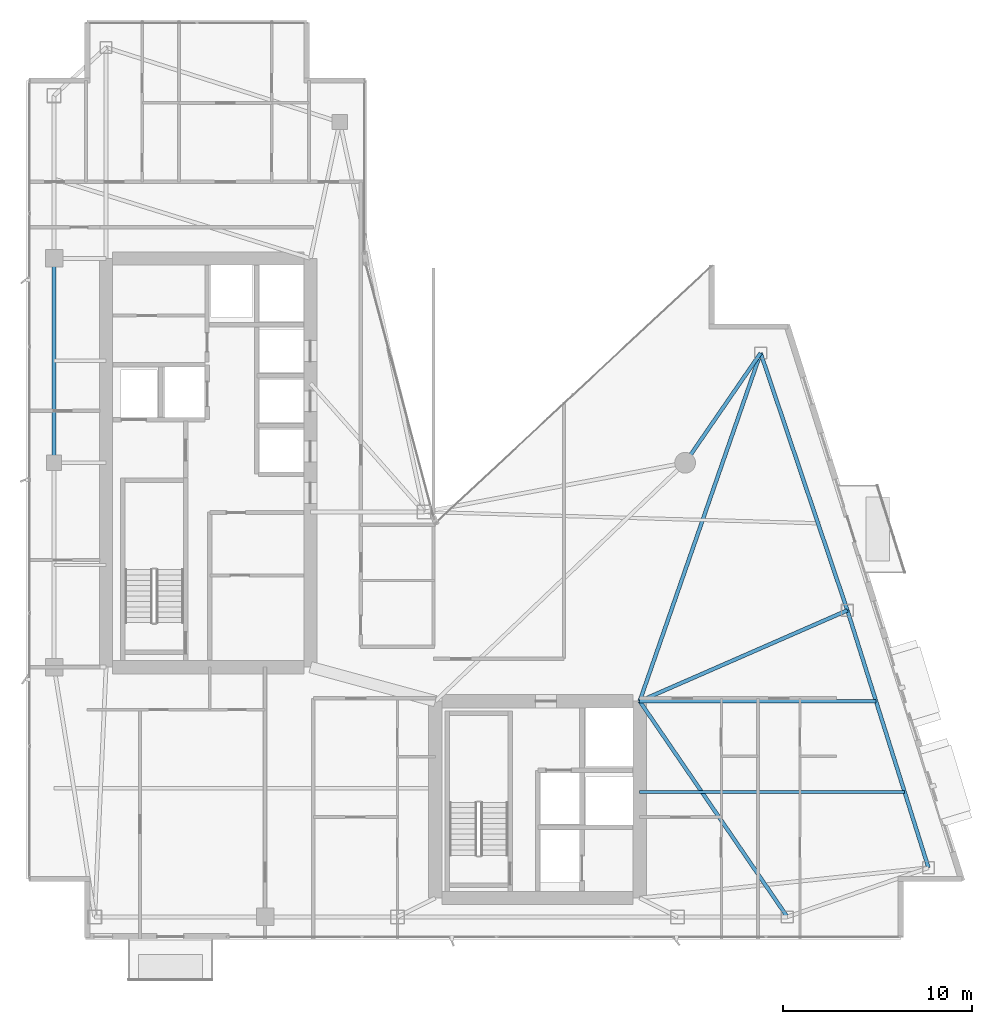
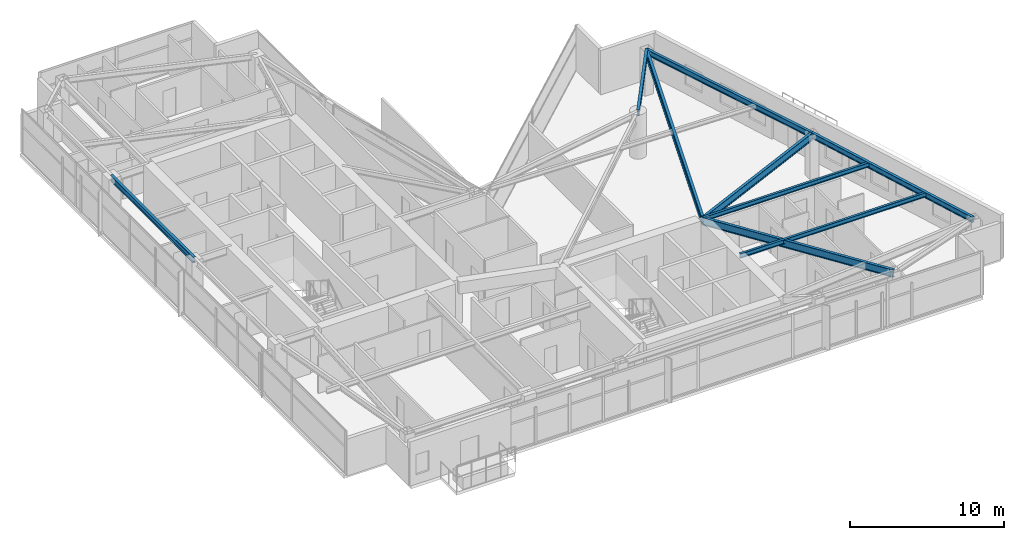
# One storey, part 14 of 27: 9 beams.
"""IFC4 building model written with IfcOpenShell, lengths in metres."""

from ifc_helpers import new_model, si_unit, direction, frame, origin, origin_2d, place, context, subcontext, project, spatial, i_section, extrude, material, material_profile, profile_set, type_object, element, save


model = new_model("IFC4")

# Units and contexts
model_context = context("Model", 3, precision=1e-05, world=origin(), true_north=direction((0.0, 1.0)))
body_context = subcontext(model_context, "Body", "Model", "MODEL_VIEW")
ifc_project = project(units=[si_unit("LENGTHUNIT", "METRE"), si_unit("AREAUNIT", "SQUARE_METRE"), si_unit("VOLUMEUNIT", "CUBIC_METRE"), si_unit("PLANEANGLEUNIT", "RADIAN"), si_unit("MASSUNIT", "GRAM", prefix="KILO")], contexts=[model_context])

# Site, building, storey
site_placement = place(None, origin())
site = spatial("IfcSite", under=ifc_project, at=site_placement, CompositionType="ELEMENT")
building_placement = place(site_placement, origin())
building = spatial("IfcBuilding", under=site, at=building_placement, Name="Calvorn Quay Hotel", CompositionType="ELEMENT")
storey_placement = place(building_placement, frame((0.0, 0.0, 230.699951171875)))
storey = spatial("IfcBuildingStorey", under=building, at=storey_placement, Name="L57", CompositionType="ELEMENT", Elevation=230.699951171875)

# Beams
ifc_material_1 = material(Name="Steel Q355B", Category="steel")
ifc_material_profile_1 = material_profile(ifc_material_1, i_section(OverallWidth=0.199951171875, OverallDepth=0.60009765625, WebThickness=0.010986328125, FlangeThickness=0.01708984375, FilletRadius=0.01806640625, at=origin_2d()), Name="HN600x200x11x17")
ifc_profile_set_1 = profile_set([ifc_material_profile_1], Name="Steel Q355B")
beam_type_1 = type_object("IfcBeamType", Name="BM-GIRD-TYP", PredefinedType="BEAM", material=ifc_profile_set_1)
beam_1_placement = place(storey_placement, frame((32.39990234375, 15.0, 3.219970703125), z_axis=(0.916218128543, 0.40067984842, 0.0), x_axis=(-0.40067984842, 0.916218128543, 0.0)))
element("IfcBeam", 1, at=beam_1_placement, inside=storey, type_object=beam_type_1, Name="Beam BG-L57-E2", PredefinedType="BEAM", context=body_context, shape_type="SweptSolid", body=[
    extrude(i_section(OverallWidth=0.199951171875, OverallDepth=0.60009765625, WebThickness=0.010986328125, FlangeThickness=0.01708984375, FilletRadius=0.01806640625, at=origin_2d()), origin(), (0.0, 0.0, 1.0), 11.979736328125),
])
beam_2_placement = place(storey_placement, frame((32.39990234375, 15.0, 3.219970703125), z_axis=(0.328115152411, 0.94463773308, 0.0), x_axis=(-0.94463773308, 0.328115152411, 0.0)))
element("IfcBeam", 2, at=beam_2_placement, inside=storey, type_object=beam_type_1, Name="Beam BG-L57-E3", PredefinedType="BEAM", context=body_context, shape_type="SweptSolid", body=[
    extrude(i_section(OverallWidth=0.199951171875, OverallDepth=0.60009765625, WebThickness=0.010986328125, FlangeThickness=0.01708984375, FilletRadius=0.01806640625, at=origin_2d()), origin(), (0.0, 0.0, 1.0), 19.478271484375),
])
beam_3_placement = place(storey_placement, frame((40.199951171875, 3.60009765625, 3.219970703125), z_axis=(-0.564689618177, 0.825303359452, 0.0), x_axis=(-0.825303359452, -0.564689618177, 0.0)))
element("IfcBeam", 3, at=beam_3_placement, inside=storey, type_object=beam_type_1, Name="Beam BG-L57-E6", PredefinedType="BEAM", context=body_context, shape_type="SweptSolid", body=[
    extrude(i_section(OverallWidth=0.199951171875, OverallDepth=0.60009765625, WebThickness=0.010986328125, FlangeThickness=0.01708984375, FilletRadius=0.01806640625, at=origin_2d()), origin(), (0.0, 0.0, 1.0), 13.81298828125),
])
ifc_material_2 = material(Name="Steel Q355B", Category="steel")
ifc_material_profile_2 = material_profile(ifc_material_2, i_section(OverallWidth=0.175048828125, OverallDepth=0.35009765625, WebThickness=0.007080078125, FlangeThickness=0.010986328125, FilletRadius=0.013916015625, at=origin_2d()), Name="HN350x175x7x11")
ifc_profile_set_2 = profile_set([ifc_material_profile_2], Name="Steel Q355B")
beam_type_2 = type_object("IfcBeamType", Name="BM-JOIST-SEC", PredefinedType="JOIST", material=ifc_profile_set_2)
beam_4_placement = place(storey_placement, frame((32.39990234375, 10.199951171875, 3.344970703125), z_axis=(1.0, 0.0, 0.0), x_axis=(0.0, 1.0, 0.0)))
element("IfcBeam", 4, at=beam_4_placement, inside=storey, type_object=beam_type_2, Name="Beam BJ-L57-E1", PredefinedType="JOIST", context=body_context, shape_type="SweptSolid", body=[
    extrude(i_section(OverallWidth=0.175048828125, OverallDepth=0.35009765625, WebThickness=0.007080078125, FlangeThickness=0.010986328125, FilletRadius=0.013916015625, at=origin_2d()), origin(), (0.0, 0.0, 1.0), 14.0009765625),
])
beam_5_placement = place(storey_placement, frame((32.39990234375, 15.0, 3.344970703125), z_axis=(1.0, 0.0, 0.0), x_axis=(0.0, 1.0, 0.0)))
element("IfcBeam", 5, at=beam_5_placement, inside=storey, type_object=beam_type_2, Name="Beam BJ-L57-E2", PredefinedType="JOIST", context=body_context, shape_type="SweptSolid", body=[
    extrude(i_section(OverallWidth=0.175048828125, OverallDepth=0.35009765625, WebThickness=0.007080078125, FlangeThickness=0.010986328125, FilletRadius=0.013916015625, at=origin_2d()), origin(), (0.0, 0.0, 1.0), 12.488037109375),
])
ifc_material_3 = material(Name="Steel Q355B", Category="steel")
ifc_material_profile_3 = material_profile(ifc_material_3, i_section(OverallWidth=0.199951171875, OverallDepth=0.449951171875, WebThickness=0.009033203125, FlangeThickness=0.013916015625, FilletRadius=0.01611328125, at=origin_2d()), Name="HN450x200x9x14")
ifc_profile_set_3 = profile_set([ifc_material_profile_3], Name="Steel Q355B")
beam_type_3 = type_object("IfcBeamType", Name="BM-SPANDREL-Z3", PredefinedType="SPANDREL", material=ifc_profile_set_3)
beam_6_placement = place(storey_placement, frame((1.449951171875, 27.60009765625, 3.295166015625), z_axis=(0.0, 1.0, 0.0), x_axis=(-1.0, 0.0, 0.0)))
element("IfcBeam", 6, at=beam_6_placement, inside=storey, type_object=beam_type_3, Name="Beam BSP-L57-W3", PredefinedType="SPANDREL", context=body_context, shape_type="SweptSolid", body=[
    extrude(i_section(OverallWidth=0.199951171875, OverallDepth=0.449951171875, WebThickness=0.009033203125, FlangeThickness=0.013916015625, FilletRadius=0.01611328125, at=origin_2d()), origin(), (0.0, 0.0, 1.0), 10.7998046875),
])
beam_7_placement = place(storey_placement, frame((47.660888671875, 6.199951171875, 3.295166015625), z_axis=(-0.300502802767, 0.953780931624, 0.0), x_axis=(-0.953780931624, -0.300502802767, 0.0)))
element("IfcBeam", 7, at=beam_7_placement, inside=storey, type_object=beam_type_3, Name="Beam BSP-L57-E1", PredefinedType="SPANDREL", context=body_context, shape_type="SweptSolid", body=[
    extrude(i_section(OverallWidth=0.199951171875, OverallDepth=0.449951171875, WebThickness=0.009033203125, FlangeThickness=0.013916015625, FilletRadius=0.01611328125, at=origin_2d()), origin(), (0.0, 0.0, 1.0), 14.259033203125),
])
beam_8_placement = place(storey_placement, frame((43.3759765625, 19.800048828125, 3.295166015625), z_axis=(-0.319466515944, 0.947597564998, 0.0), x_axis=(-0.947597564998, -0.319466515944, 0.0)))
element("IfcBeam", 8, at=beam_8_placement, inside=storey, type_object=beam_type_3, Name="Beam BSP-L57-E2", PredefinedType="SPANDREL", context=body_context, shape_type="SweptSolid", body=[
    extrude(i_section(OverallWidth=0.199951171875, OverallDepth=0.449951171875, WebThickness=0.009033203125, FlangeThickness=0.013916015625, FilletRadius=0.01611328125, at=origin_2d()), origin(), (0.0, 0.0, 1.0), 14.35205078125),
])
beam_9_placement = place(storey_placement, frame((38.791015625, 33.39990234375, 3.295166015625), z_axis=(-0.566876101303, -0.823803062492, 0.0), x_axis=(0.823803062492, -0.566876101303, 0.0)))
element("IfcBeam", 9, at=beam_9_placement, inside=storey, type_object=beam_type_3, Name="Beam BSP-L57-E3", PredefinedType="SPANDREL", context=body_context, shape_type="SweptSolid", body=[
    extrude(i_section(OverallWidth=0.199951171875, OverallDepth=0.449951171875, WebThickness=0.009033203125, FlangeThickness=0.013916015625, FilletRadius=0.01611328125, at=origin_2d()), origin(), (0.0, 0.0, 1.0), 7.040283203125),
])

save(model, "model.ifc")
